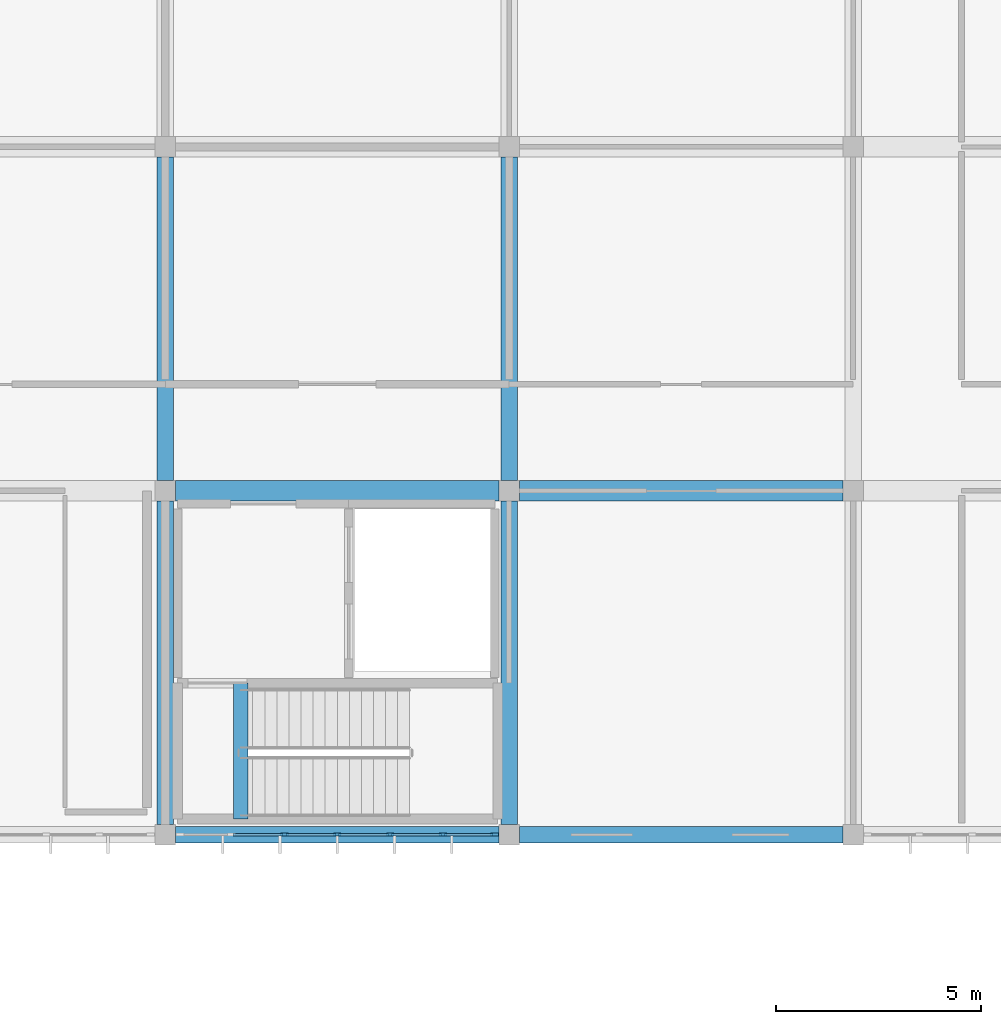
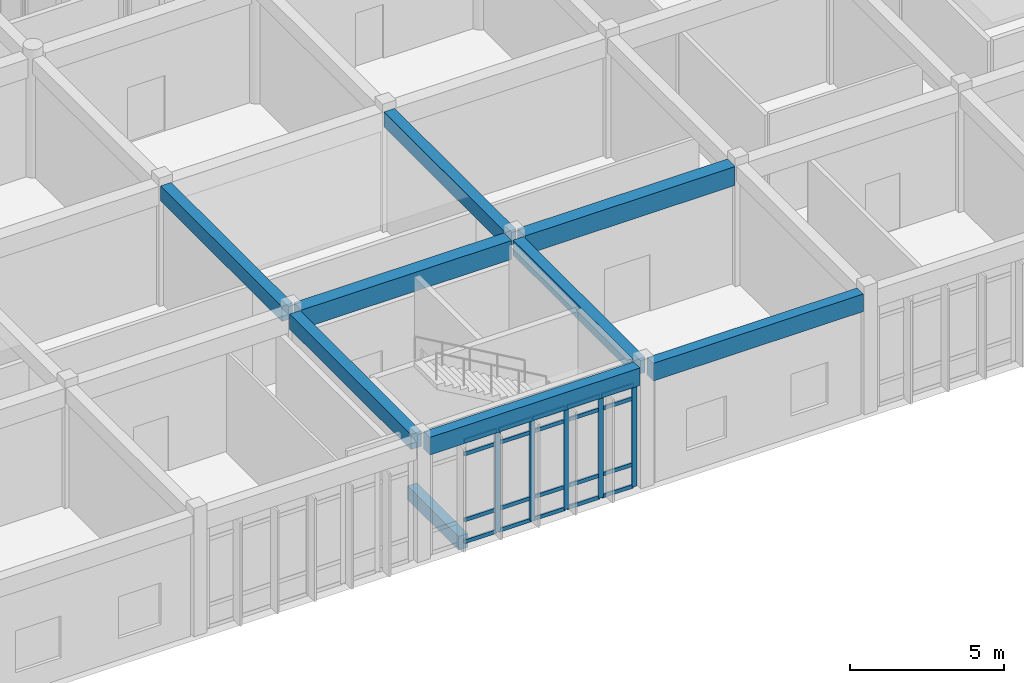
# One storey, part 13 of 134: 25 members, 9 beams, 1 element without a shape of its own.
"""IFC4 building model written with IfcOpenShell, lengths in metres."""

from ifc_helpers import new_model, si_unit, direction, frame, origin, origin_2d, place, context, subcontext, project, spatial, rectangle, extrude, material, layer, layer_set, material_profile, profile_set, type_object, element, aggregate, save


model = new_model("IFC4")

# Units and contexts
model_context = context("Model", 3, precision=1e-05, world=origin(), true_north=direction((0.0, 1.0)))
body_context = subcontext(model_context, "Body", "Model", "MODEL_VIEW")
ifc_project = project(units=[si_unit("LENGTHUNIT", "METRE"), si_unit("AREAUNIT", "SQUARE_METRE"), si_unit("VOLUMEUNIT", "CUBIC_METRE"), si_unit("PLANEANGLEUNIT", "RADIAN"), si_unit("MASSUNIT", "GRAM", prefix="KILO")], contexts=[model_context])

# Site, building, storey
site_placement = place(None, origin())
site = spatial("IfcSite", under=ifc_project, at=site_placement, CompositionType="ELEMENT")
building_placement = place(site_placement, origin())
building = spatial("IfcBuilding", under=site, at=building_placement, Name="Bramfleet General Hospital", CompositionType="ELEMENT")
storey_placement = place(building_placement, frame((0.0, 0.0, 9.300048828125)))
storey = spatial("IfcBuildingStorey", under=building, at=storey_placement, Name="L02", CompositionType="ELEMENT", Elevation=9.300048828125)

# Beams
ifc_material_1 = material(Name="Concrete C35/45", Category="concrete")
ifc_material_profile_1 = material_profile(ifc_material_1, rectangle(XDim=0.35009765625, YDim=0.550048828125, at=origin_2d()), Name="RC BM 550x350")
ifc_profile_set_1 = profile_set([ifc_material_profile_1], Name="Concrete C35/45")
beam_type_1 = type_object("IfcBeamType", Name="BM-RC550", PredefinedType="BEAM", material=ifc_profile_set_1)
beam_1_placement = place(storey_placement, frame((18.639892578125, 50.780029296875, -0.275146484375), z_axis=(0.0, 1.0, 0.0), x_axis=(-1.0, 0.0, 0.0)))
element("IfcBeam", 1, at=beam_1_placement, inside=storey, type_object=beam_type_1, Name="L02 C2 Stairwell Trimmer Beam", PredefinedType="BEAM", context=body_context, shape_type="SweptSolid", body=[
    extrude(rectangle(XDim=0.35009765625, YDim=0.550048828125, at=origin_2d()), origin(), (0.0, 0.0, 1.0), 3.320068359375),
])
ifc_material_profile_2 = material_profile(ifc_material_1, rectangle(XDim=0.39990234375, YDim=0.60009765625, at=origin_2d()), Name="RC BM 600x400")
ifc_profile_set_2 = profile_set([ifc_material_profile_2], Name="Concrete C35/45")
beam_type_2 = type_object("IfcBeamType", Name="BM-RC600", PredefinedType="BEAM", material=ifc_profile_set_2)
beam_2_placement = place(storey_placement, frame((16.800048828125, 50.64990234375, 4.47998046875), z_axis=(0.0, 1.0, 0.0), x_axis=(-1.0, 0.0, 0.0)))
element("IfcBeam", 2, at=beam_2_placement, inside=storey, type_object=beam_type_2, Name="L02 Grid Beam Y 02-06", PredefinedType="BEAM", context=body_context, shape_type="SweptSolid", body=[
    extrude(rectangle(XDim=0.39990234375, YDim=0.60009765625, at=origin_2d()), origin(), (0.0, 0.0, 1.0), 7.900146484375),
])
beam_3_placement = place(storey_placement, frame((16.800048828125, 59.050048828125, 4.47998046875), z_axis=(0.0, 1.0, 0.0), x_axis=(-1.0, 0.0, 0.0)))
element("IfcBeam", 3, at=beam_3_placement, inside=storey, type_object=beam_type_2, Name="L02 Grid Beam Y 02-07", PredefinedType="BEAM", context=body_context, shape_type="SweptSolid", body=[
    extrude(rectangle(XDim=0.39990234375, YDim=0.60009765625, at=origin_2d()), origin(), (0.0, 0.0, 1.0), 7.89990234375),
])
beam_4_placement = place(storey_placement, frame((25.199951171875, 50.64990234375, 4.47998046875), z_axis=(0.0, 1.0, 0.0), x_axis=(-1.0, 0.0, 0.0)))
element("IfcBeam", 4, at=beam_4_placement, inside=storey, type_object=beam_type_2, Name="L02 Grid Beam Y 03-06", PredefinedType="BEAM", context=body_context, shape_type="SweptSolid", body=[
    extrude(rectangle(XDim=0.39990234375, YDim=0.60009765625, at=origin_2d()), origin(), (0.0, 0.0, 1.0), 7.900146484375),
])
beam_5_placement = place(storey_placement, frame((25.199951171875, 59.050048828125, 4.47998046875), z_axis=(0.0, 1.0, 0.0), x_axis=(-1.0, 0.0, 0.0)))
element("IfcBeam", 5, at=beam_5_placement, inside=storey, type_object=beam_type_2, Name="L02 Grid Beam Y 03-07", PredefinedType="BEAM", context=body_context, shape_type="SweptSolid", body=[
    extrude(rectangle(XDim=0.39990234375, YDim=0.60009765625, at=origin_2d()), origin(), (0.0, 0.0, 1.0), 7.89990234375),
])
ifc_material_profile_3 = material_profile(ifc_material_1, rectangle(XDim=0.5, YDim=0.75, at=origin_2d()), Name="RC BM 750x500")
ifc_profile_set_3 = profile_set([ifc_material_profile_3], Name="Concrete C35/45")
beam_type_3 = type_object("IfcBeamType", Name="BM-RC750", PredefinedType="BEAM", material=ifc_profile_set_3)
beam_6_placement = place(storey_placement, frame((17.050048828125, 58.800048828125, 4.405029296875), z_axis=(1.0, 0.0, 0.0), x_axis=(0.0, 1.0, 0.0)))
element("IfcBeam", 6, at=beam_6_placement, inside=storey, type_object=beam_type_3, Name="L02 Grid Beam X 02-07", PredefinedType="BEAM", context=body_context, shape_type="SweptSolid", body=[
    extrude(rectangle(XDim=0.5, YDim=0.75, at=origin_2d()), origin(), (0.0, 0.0, 1.0), 7.89990234375),
])
beam_7_placement = place(storey_placement, frame((25.449951171875, 58.800048828125, 4.405029296875), z_axis=(1.0, 0.0, 0.0), x_axis=(0.0, 1.0, 0.0)))
element("IfcBeam", 7, at=beam_7_placement, inside=storey, type_object=beam_type_3, Name="L02 Grid Beam X 03-07", PredefinedType="BEAM", context=body_context, shape_type="SweptSolid", body=[
    extrude(rectangle(XDim=0.5, YDim=0.75, at=origin_2d()), origin(), (0.0, 0.0, 1.0), 7.900146484375),
])
ifc_material_profile_4 = material_profile(ifc_material_1, rectangle(XDim=0.39990234375, YDim=0.699951171875, at=origin_2d()), Name="RC SP 700x400")
ifc_profile_set_4 = profile_set([ifc_material_profile_4], Name="Concrete C35/45")
beam_type_4 = type_object("IfcBeamType", Name="BM-SP700", PredefinedType="SPANDREL", material=ifc_profile_set_4)
beam_8_placement = place(storey_placement, frame((17.050048828125, 50.39990234375, 4.429931640625), z_axis=(1.0, 0.0, 0.0), x_axis=(0.0, 1.0, 0.0)))
element("IfcBeam", 8, at=beam_8_placement, inside=storey, type_object=beam_type_4, Name="L02 Grid Beam X 02-06", PredefinedType="SPANDREL", context=body_context, shape_type="SweptSolid", body=[
    extrude(rectangle(XDim=0.39990234375, YDim=0.699951171875, at=origin_2d()), origin(), (0.0, 0.0, 1.0), 7.89990234375),
])
beam_9_placement = place(storey_placement, frame((25.449951171875, 50.39990234375, 4.429931640625), z_axis=(1.0, 0.0, 0.0), x_axis=(0.0, 1.0, 0.0)))
element("IfcBeam", 9, at=beam_9_placement, inside=storey, type_object=beam_type_4, Name="L02 Grid Beam X 03-06", PredefinedType="SPANDREL", context=body_context, shape_type="SweptSolid", body=[
    extrude(rectangle(XDim=0.39990234375, YDim=0.699951171875, at=origin_2d()), origin(), (0.0, 0.0, 1.0), 7.900146484375),
])

# Curtain wall, members
ifc_material_2 = material(Name="Anodised aluminium and low-E triple glazing", Category="aluminium")
ifc_layer = layer(ifc_material_2, 0.179931640625, Name="CWT-CW-14")
ifc_layer_set = layer_set([ifc_layer], Name="Anodised aluminium and low-E triple glazing")
curtain_wall_type = type_object("IfcCurtainWallType", Name="CWT-CW-14", PredefinedType="USERDEFINED", material=ifc_layer_set)
curtain_wall_placement = place(storey_placement, origin())
curtain_wall = element("IfcCurtainWall", 10, at=curtain_wall_placement, inside=storey, type_object=curtain_wall_type, Name="L02 Curtain Wall 140", ObjectType="Stick curtain wall", PredefinedType="USERDEFINED")
ifc_material_3 = material(Name="Structural timber GL28h", Category="wood")
ifc_material_profile_5 = material_profile(ifc_material_3, rectangle(XDim=0.070068359375, YDim=0.18994140625, at=origin_2d()), Name="LARCH 190x70")
ifc_profile_set_5 = profile_set([ifc_material_profile_5], Name="Structural timber GL28h")
member_type_1 = type_object("IfcMemberType", Name="CWM-LARCH450", PredefinedType="MULLION", material=ifc_profile_set_5)
member_1_placement = place(storey_placement, frame((24.840087890625, 50.39990234375, 0.0), z_axis=(0.0, 0.0, 1.0), x_axis=(0.0, -1.0, 0.0)))
member_1 = element("IfcMember", 11, at=member_1_placement, type_object=member_type_1, Name="CW-14 mullion 1", PredefinedType="MULLION", context=body_context, shape_type="SweptSolid", body=[
    extrude(rectangle(XDim=0.070068359375, YDim=0.18994140625, at=origin_2d()), origin(), (0.0, 0.0, 1.0), 4.070068359375),
])
member_2_placement = place(storey_placement, frame((23.583251953125, 50.39990234375, 0.0), z_axis=(0.0, 0.0, 1.0), x_axis=(0.0, -1.0, 0.0)))
member_2 = element("IfcMember", 12, at=member_2_placement, type_object=member_type_1, Name="CW-14 mullion 2", PredefinedType="MULLION", context=body_context, shape_type="SweptSolid", body=[
    extrude(rectangle(XDim=0.070068359375, YDim=0.18994140625, at=origin_2d()), origin(), (0.0, 0.0, 1.0), 4.070068359375),
])
member_3_placement = place(storey_placement, frame((22.291748046875, 50.39990234375, 0.0), z_axis=(0.0, 0.0, 1.0), x_axis=(0.0, -1.0, 0.0)))
member_3 = element("IfcMember", 13, at=member_3_placement, type_object=member_type_1, Name="CW-14 mullion 3", PredefinedType="MULLION", context=body_context, shape_type="SweptSolid", body=[
    extrude(rectangle(XDim=0.070068359375, YDim=0.18994140625, at=origin_2d()), origin(), (0.0, 0.0, 1.0), 4.070068359375),
])
member_4_placement = place(storey_placement, frame((21.0, 50.39990234375, 0.0), z_axis=(0.0, 0.0, 1.0), x_axis=(0.0, -1.0, 0.0)))
member_4 = element("IfcMember", 14, at=member_4_placement, type_object=member_type_1, Name="CW-14 mullion 4", PredefinedType="MULLION", context=body_context, shape_type="SweptSolid", body=[
    extrude(rectangle(XDim=0.070068359375, YDim=0.18994140625, at=origin_2d()), origin(), (0.0, 0.0, 1.0), 4.070068359375),
])
member_5_placement = place(storey_placement, frame((19.708251953125, 50.39990234375, 0.0), z_axis=(0.0, 0.0, 1.0), x_axis=(0.0, -1.0, 0.0)))
member_5 = element("IfcMember", 15, at=member_5_placement, type_object=member_type_1, Name="CW-14 mullion 5", PredefinedType="MULLION", context=body_context, shape_type="SweptSolid", body=[
    extrude(rectangle(XDim=0.070068359375, YDim=0.18994140625, at=origin_2d()), origin(), (0.0, 0.0, 1.0), 4.070068359375),
])
ifc_material_profile_6 = material_profile(ifc_material_3, rectangle(XDim=0.06494140625, YDim=0.14990234375, at=origin_2d()), Name="LARCH 150x65")
ifc_profile_set_6 = profile_set([ifc_material_profile_6], Name="Structural timber GL28h")
member_type_2 = type_object("IfcMemberType", Name="CWT-LARCH220", PredefinedType="USERDEFINED", material=ifc_profile_set_6)
member_6_placement = place(storey_placement, frame((24.804931640625, 50.39990234375, 0.032470703125), z_axis=(-1.0, 0.0, 0.0), x_axis=(0.0, -1.0, 0.0)))
member_6 = element("IfcMember", 16, at=member_6_placement, type_object=member_type_2, Name="CW-14 transom 1.1", ObjectType="TRANSOM", PredefinedType="USERDEFINED", context=body_context, shape_type="SweptSolid", body=[
    extrude(rectangle(XDim=0.06494140625, YDim=0.14990234375, at=origin_2d()), origin(), (0.0, 0.0, 1.0), 1.1865234375),
])
member_7_placement = place(storey_placement, frame((24.804931640625, 50.39990234375, 0.89990234375), z_axis=(-1.0, 0.0, 0.0), x_axis=(0.0, -1.0, 0.0)))
member_7 = element("IfcMember", 17, at=member_7_placement, type_object=member_type_2, Name="CW-14 transom 1.2", ObjectType="TRANSOM", PredefinedType="USERDEFINED", context=body_context, shape_type="SweptSolid", body=[
    extrude(rectangle(XDim=0.06494140625, YDim=0.14990234375, at=origin_2d()), origin(), (0.0, 0.0, 1.0), 1.1865234375),
])
member_8_placement = place(storey_placement, frame((24.804931640625, 50.39990234375, 3.52001953125), z_axis=(-1.0, 0.0, 0.0), x_axis=(0.0, -1.0, 0.0)))
member_8 = element("IfcMember", 18, at=member_8_placement, type_object=member_type_2, Name="CW-14 transom 1.3", ObjectType="TRANSOM", PredefinedType="USERDEFINED", context=body_context, shape_type="SweptSolid", body=[
    extrude(rectangle(XDim=0.06494140625, YDim=0.14990234375, at=origin_2d()), origin(), (0.0, 0.0, 1.0), 1.1865234375),
])
member_9_placement = place(storey_placement, frame((24.804931640625, 50.39990234375, 4.037353515625), z_axis=(-1.0, 0.0, 0.0), x_axis=(0.0, -1.0, 0.0)))
member_9 = element("IfcMember", 19, at=member_9_placement, type_object=member_type_2, Name="CW-14 transom 1.4", ObjectType="TRANSOM", PredefinedType="USERDEFINED", context=body_context, shape_type="SweptSolid", body=[
    extrude(rectangle(XDim=0.06494140625, YDim=0.14990234375, at=origin_2d()), origin(), (0.0, 0.0, 1.0), 1.1865234375),
])
member_10_placement = place(storey_placement, frame((23.54833984375, 50.39990234375, 0.032470703125), z_axis=(-1.0, 0.0, 0.0), x_axis=(0.0, -1.0, 0.0)))
member_10 = element("IfcMember", 20, at=member_10_placement, type_object=member_type_2, Name="CW-14 transom 2.1", ObjectType="TRANSOM", PredefinedType="USERDEFINED", context=body_context, shape_type="SweptSolid", body=[
    extrude(rectangle(XDim=0.06494140625, YDim=0.14990234375, at=origin_2d()), origin(), (0.0, 0.0, 1.0), 1.2216796875),
])
member_11_placement = place(storey_placement, frame((23.54833984375, 50.39990234375, 0.89990234375), z_axis=(-1.0, 0.0, 0.0), x_axis=(0.0, -1.0, 0.0)))
member_11 = element("IfcMember", 21, at=member_11_placement, type_object=member_type_2, Name="CW-14 transom 2.2", ObjectType="TRANSOM", PredefinedType="USERDEFINED", context=body_context, shape_type="SweptSolid", body=[
    extrude(rectangle(XDim=0.06494140625, YDim=0.14990234375, at=origin_2d()), origin(), (0.0, 0.0, 1.0), 1.2216796875),
])
member_12_placement = place(storey_placement, frame((23.54833984375, 50.39990234375, 3.52001953125), z_axis=(-1.0, 0.0, 0.0), x_axis=(0.0, -1.0, 0.0)))
member_12 = element("IfcMember", 22, at=member_12_placement, type_object=member_type_2, Name="CW-14 transom 2.3", ObjectType="TRANSOM", PredefinedType="USERDEFINED", context=body_context, shape_type="SweptSolid", body=[
    extrude(rectangle(XDim=0.06494140625, YDim=0.14990234375, at=origin_2d()), origin(), (0.0, 0.0, 1.0), 1.2216796875),
])
member_13_placement = place(storey_placement, frame((23.54833984375, 50.39990234375, 4.037353515625), z_axis=(-1.0, 0.0, 0.0), x_axis=(0.0, -1.0, 0.0)))
member_13 = element("IfcMember", 23, at=member_13_placement, type_object=member_type_2, Name="CW-14 transom 2.4", ObjectType="TRANSOM", PredefinedType="USERDEFINED", context=body_context, shape_type="SweptSolid", body=[
    extrude(rectangle(XDim=0.06494140625, YDim=0.14990234375, at=origin_2d()), origin(), (0.0, 0.0, 1.0), 1.2216796875),
])
member_14_placement = place(storey_placement, frame((22.256591796875, 50.39990234375, 0.032470703125), z_axis=(-1.0, 0.0, 0.0), x_axis=(0.0, -1.0, 0.0)))
member_14 = element("IfcMember", 24, at=member_14_placement, type_object=member_type_2, Name="CW-14 transom 3.1", ObjectType="TRANSOM", PredefinedType="USERDEFINED", context=body_context, shape_type="SweptSolid", body=[
    extrude(rectangle(XDim=0.06494140625, YDim=0.14990234375, at=origin_2d()), origin(), (0.0, 0.0, 1.0), 1.2216796875),
])
member_15_placement = place(storey_placement, frame((22.256591796875, 50.39990234375, 0.89990234375), z_axis=(-1.0, 0.0, 0.0), x_axis=(0.0, -1.0, 0.0)))
member_15 = element("IfcMember", 25, at=member_15_placement, type_object=member_type_2, Name="CW-14 transom 3.2", ObjectType="TRANSOM", PredefinedType="USERDEFINED", context=body_context, shape_type="SweptSolid", body=[
    extrude(rectangle(XDim=0.06494140625, YDim=0.14990234375, at=origin_2d()), origin(), (0.0, 0.0, 1.0), 1.2216796875),
])
member_16_placement = place(storey_placement, frame((22.256591796875, 50.39990234375, 3.52001953125), z_axis=(-1.0, 0.0, 0.0), x_axis=(0.0, -1.0, 0.0)))
member_16 = element("IfcMember", 26, at=member_16_placement, type_object=member_type_2, Name="CW-14 transom 3.3", ObjectType="TRANSOM", PredefinedType="USERDEFINED", context=body_context, shape_type="SweptSolid", body=[
    extrude(rectangle(XDim=0.06494140625, YDim=0.14990234375, at=origin_2d()), origin(), (0.0, 0.0, 1.0), 1.2216796875),
])
member_17_placement = place(storey_placement, frame((22.256591796875, 50.39990234375, 4.037353515625), z_axis=(-1.0, 0.0, 0.0), x_axis=(0.0, -1.0, 0.0)))
member_17 = element("IfcMember", 27, at=member_17_placement, type_object=member_type_2, Name="CW-14 transom 3.4", ObjectType="TRANSOM", PredefinedType="USERDEFINED", context=body_context, shape_type="SweptSolid", body=[
    extrude(rectangle(XDim=0.06494140625, YDim=0.14990234375, at=origin_2d()), origin(), (0.0, 0.0, 1.0), 1.2216796875),
])
member_18_placement = place(storey_placement, frame((20.965087890625, 50.39990234375, 0.032470703125), z_axis=(-1.0, 0.0, 0.0), x_axis=(0.0, -1.0, 0.0)))
member_18 = element("IfcMember", 28, at=member_18_placement, type_object=member_type_2, Name="CW-14 transom 4.1", ObjectType="TRANSOM", PredefinedType="USERDEFINED", context=body_context, shape_type="SweptSolid", body=[
    extrude(rectangle(XDim=0.06494140625, YDim=0.14990234375, at=origin_2d()), origin(), (0.0, 0.0, 1.0), 1.2216796875),
])
member_19_placement = place(storey_placement, frame((20.965087890625, 50.39990234375, 0.89990234375), z_axis=(-1.0, 0.0, 0.0), x_axis=(0.0, -1.0, 0.0)))
member_19 = element("IfcMember", 29, at=member_19_placement, type_object=member_type_2, Name="CW-14 transom 4.2", ObjectType="TRANSOM", PredefinedType="USERDEFINED", context=body_context, shape_type="SweptSolid", body=[
    extrude(rectangle(XDim=0.06494140625, YDim=0.14990234375, at=origin_2d()), origin(), (0.0, 0.0, 1.0), 1.2216796875),
])
member_20_placement = place(storey_placement, frame((20.965087890625, 50.39990234375, 3.52001953125), z_axis=(-1.0, 0.0, 0.0), x_axis=(0.0, -1.0, 0.0)))
member_20 = element("IfcMember", 30, at=member_20_placement, type_object=member_type_2, Name="CW-14 transom 4.3", ObjectType="TRANSOM", PredefinedType="USERDEFINED", context=body_context, shape_type="SweptSolid", body=[
    extrude(rectangle(XDim=0.06494140625, YDim=0.14990234375, at=origin_2d()), origin(), (0.0, 0.0, 1.0), 1.2216796875),
])
member_21_placement = place(storey_placement, frame((20.965087890625, 50.39990234375, 4.037353515625), z_axis=(-1.0, 0.0, 0.0), x_axis=(0.0, -1.0, 0.0)))
member_21 = element("IfcMember", 31, at=member_21_placement, type_object=member_type_2, Name="CW-14 transom 4.4", ObjectType="TRANSOM", PredefinedType="USERDEFINED", context=body_context, shape_type="SweptSolid", body=[
    extrude(rectangle(XDim=0.06494140625, YDim=0.14990234375, at=origin_2d()), origin(), (0.0, 0.0, 1.0), 1.2216796875),
])
member_22_placement = place(storey_placement, frame((19.67333984375, 50.39990234375, 0.032470703125), z_axis=(-1.0, 0.0, 0.0), x_axis=(0.0, -1.0, 0.0)))
member_22 = element("IfcMember", 32, at=member_22_placement, type_object=member_type_2, Name="CW-14 transom 5.1", ObjectType="TRANSOM", PredefinedType="USERDEFINED", context=body_context, shape_type="SweptSolid", body=[
    extrude(rectangle(XDim=0.06494140625, YDim=0.14990234375, at=origin_2d()), origin(), (0.0, 0.0, 1.0), 1.2216796875),
])
member_23_placement = place(storey_placement, frame((19.67333984375, 50.39990234375, 0.89990234375), z_axis=(-1.0, 0.0, 0.0), x_axis=(0.0, -1.0, 0.0)))
member_23 = element("IfcMember", 33, at=member_23_placement, type_object=member_type_2, Name="CW-14 transom 5.2", ObjectType="TRANSOM", PredefinedType="USERDEFINED", context=body_context, shape_type="SweptSolid", body=[
    extrude(rectangle(XDim=0.06494140625, YDim=0.14990234375, at=origin_2d()), origin(), (0.0, 0.0, 1.0), 1.2216796875),
])
member_24_placement = place(storey_placement, frame((19.67333984375, 50.39990234375, 3.52001953125), z_axis=(-1.0, 0.0, 0.0), x_axis=(0.0, -1.0, 0.0)))
member_24 = element("IfcMember", 34, at=member_24_placement, type_object=member_type_2, Name="CW-14 transom 5.3", ObjectType="TRANSOM", PredefinedType="USERDEFINED", context=body_context, shape_type="SweptSolid", body=[
    extrude(rectangle(XDim=0.06494140625, YDim=0.14990234375, at=origin_2d()), origin(), (0.0, 0.0, 1.0), 1.2216796875),
])
member_25_placement = place(storey_placement, frame((19.67333984375, 50.39990234375, 4.037353515625), z_axis=(-1.0, 0.0, 0.0), x_axis=(0.0, -1.0, 0.0)))
member_25 = element("IfcMember", 35, at=member_25_placement, type_object=member_type_2, Name="CW-14 transom 5.4", ObjectType="TRANSOM", PredefinedType="USERDEFINED", context=body_context, shape_type="SweptSolid", body=[
    extrude(rectangle(XDim=0.06494140625, YDim=0.14990234375, at=origin_2d()), origin(), (0.0, 0.0, 1.0), 1.2216796875),
])
aggregate(curtain_wall, [member_1, member_2, member_3, member_4, member_5, member_6, member_7, member_8, member_9, member_10, member_11, member_12, member_13, member_14, member_15, member_16, member_17, member_18, member_19, member_20, member_21, member_22, member_23, member_24, member_25])

save(model, "model.ifc")
